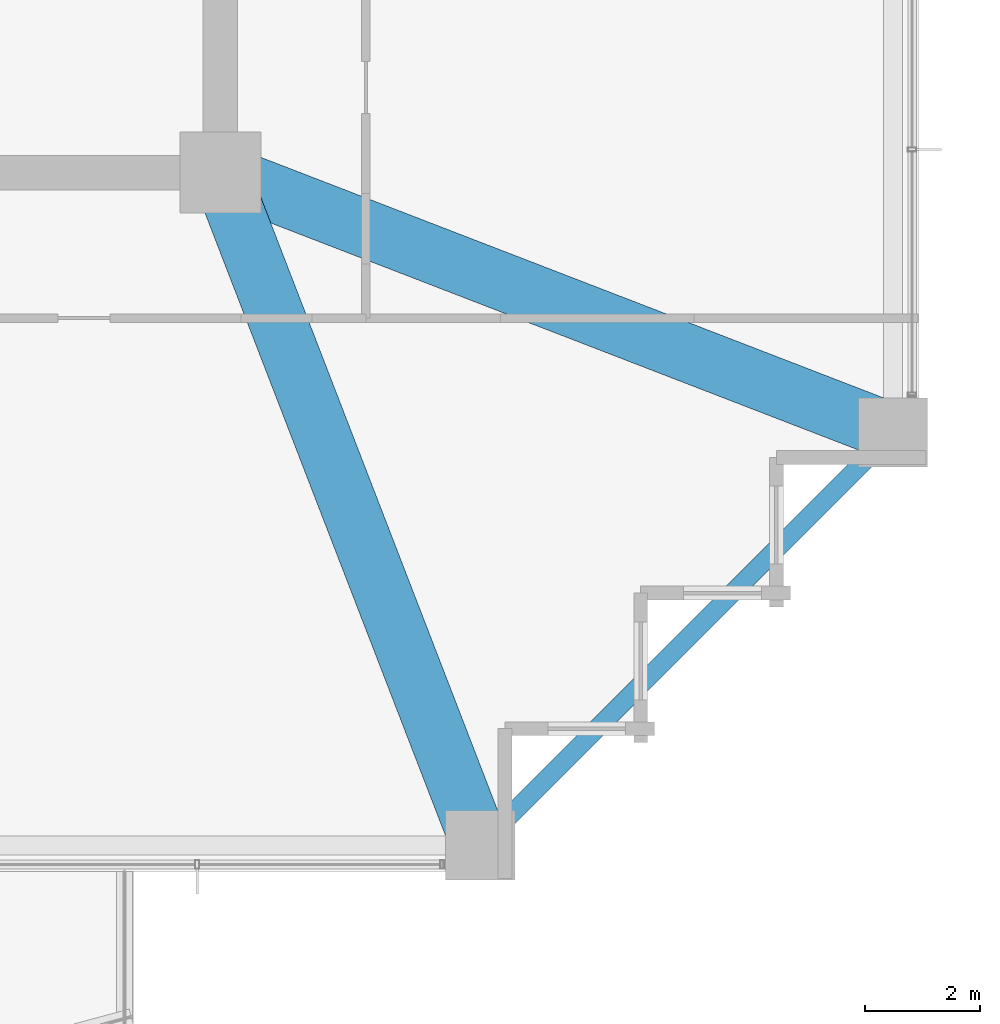
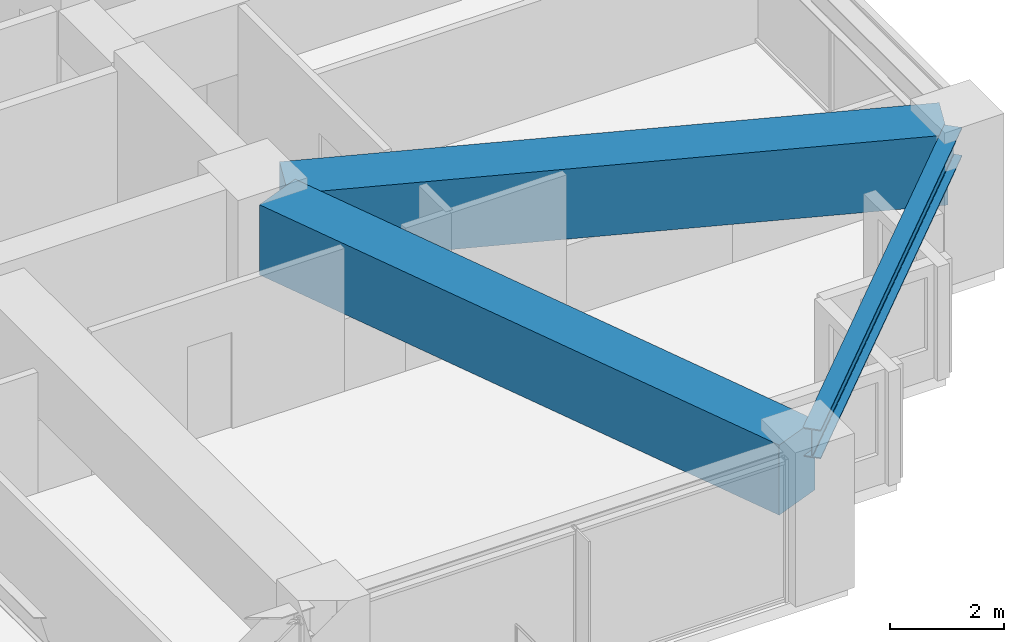
# One storey, part 11 of 37: 3 beams.
"""IFC4 building model written with IfcOpenShell, lengths in metres."""

from ifc_helpers import new_model, si_unit, direction, frame, origin, origin_2d, place, context, subcontext, project, spatial, rectangle, i_section, extrude, material, material_profile, profile_set, type_object, element, save


model = new_model("IFC4")

# Units and contexts
model_context = context("Model", 3, precision=1e-05, world=origin(), true_north=direction((0.0, 1.0)))
body_context = subcontext(model_context, "Body", "Model", "MODEL_VIEW")
ifc_project = project(units=[si_unit("LENGTHUNIT", "METRE"), si_unit("AREAUNIT", "SQUARE_METRE"), si_unit("VOLUMEUNIT", "CUBIC_METRE"), si_unit("PLANEANGLEUNIT", "RADIAN"), si_unit("MASSUNIT", "GRAM", prefix="KILO")], contexts=[model_context])

# Site, building, storey
site_placement = place(None, origin())
site = spatial("IfcSite", under=ifc_project, at=site_placement, CompositionType="ELEMENT")
building_placement = place(site_placement, origin())
building = spatial("IfcBuilding", under=site, at=building_placement, Name="Kolvaren Belvedere", CompositionType="ELEMENT")
storey_placement = place(building_placement, frame((0.0, 0.0, 43.60009765625)))
storey = spatial("IfcBuildingStorey", under=building, at=storey_placement, Name="L12", CompositionType="ELEMENT", Elevation=43.60009765625)

# Beams
ifc_material_1 = material(Name="Structural steel ASTM A992 Grade 50", Category="steel")
ifc_material_profile_1 = material_profile(ifc_material_1, i_section(OverallWidth=0.324951171875, OverallDepth=0.615966796875, WebThickness=0.013916015625, FlangeThickness=0.021484375, FilletRadius=0.02001953125, at=origin_2d()), Name="W24X117")
ifc_profile_set_1 = profile_set([ifc_material_profile_1], Name="Structural steel ASTM A992 Grade 50")
beam_type_1 = type_object("IfcBeamType", Name="BM-SPAN-W24X117", PredefinedType="SPANDREL", material=ifc_profile_set_1)
beam_placement = place(storey_placement, frame((14.5908203125, -21.359130859375, 2.751953125), z_axis=(0.707106781187, 0.707106781187, 0.0), x_axis=(-0.707106781187, 0.707106781187, 0.0)))
element("IfcBeam", 1, at=beam_placement, inside=storey, type_object=beam_type_1, Name="L12 Perimeter Spandrel S4-E1", PredefinedType="SPANDREL", context=body_context, shape_type="SweptSolid", body=[
    extrude(i_section(OverallWidth=0.324951171875, OverallDepth=0.615966796875, WebThickness=0.013916015625, FlangeThickness=0.021484375, FilletRadius=0.02001953125, at=origin_2d()), origin(), (0.0, 0.0, 1.0), 9.57177734375),
])
ifc_material_2 = material(Name="Concrete C50/60", Category="concrete")
ifc_material_profile_2 = material_profile(ifc_material_2, rectangle(XDim=1.0, YDim=1.5, at=origin_2d()), Name="RC 1000X1500")
ifc_profile_set_2 = profile_set([ifc_material_profile_2], Name="Concrete C50/60")
beam_type_2 = type_object("IfcBeamType", Name="BM-TG-1500", PredefinedType="BEAM", material=ifc_profile_set_2)
for number, where, z_axis, x_axis, name in (
    (2, (10.09814453125, -10.4130859375, 2.309814453125), (0.360318391835, -0.932829382313, 0.0), (0.932829382313, 0.360318391835, 0.0), "L12 Corner Core-to-Perimeter Girder CC2-S4"),
    (3, (10.4130859375, -10.09814453125, 2.309814453125), (0.932829382313, -0.360318391835, 0.0), (0.360318391835, 0.932829382313, 0.0), "L12 Corner Core-to-Perimeter Girder CC2-E1"),
):
    element("IfcBeam", number, at=place(storey_placement, frame(where, z_axis=z_axis, x_axis=x_axis)), inside=storey, type_object=beam_type_2, Name=name, PredefinedType="BEAM", context=body_context, shape_type="SweptSolid", body=[
        extrude(rectangle(XDim=1.0, YDim=1.5, at=origin_2d()), origin(), (0.0, 0.0, 1.0), 11.698974609375),
    ])

save(model, "model.ifc")
